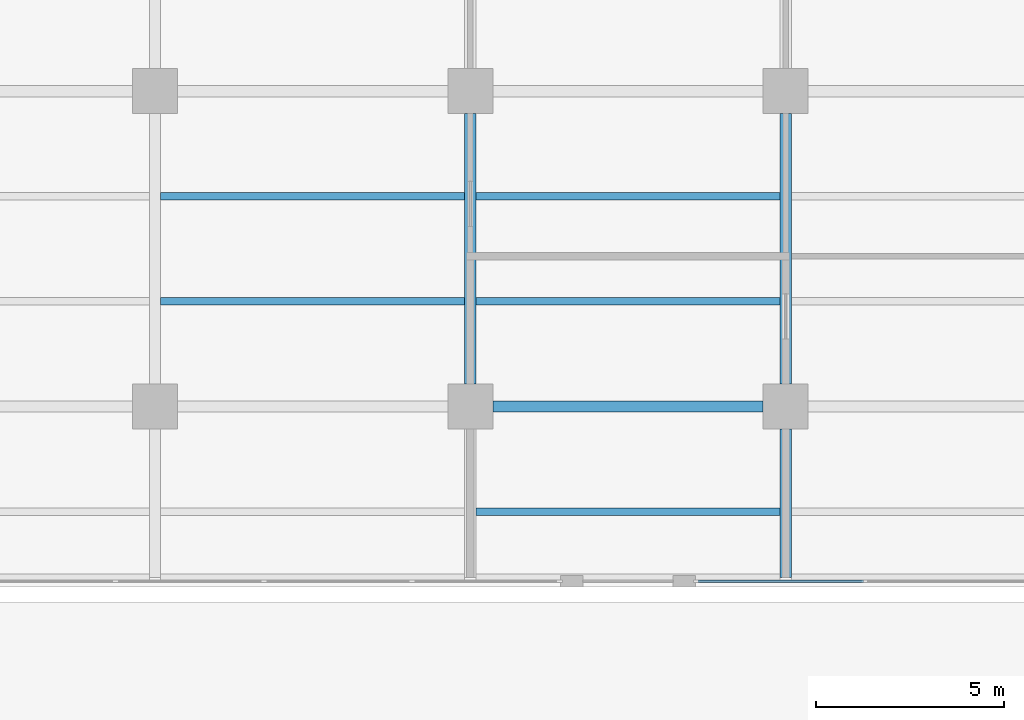
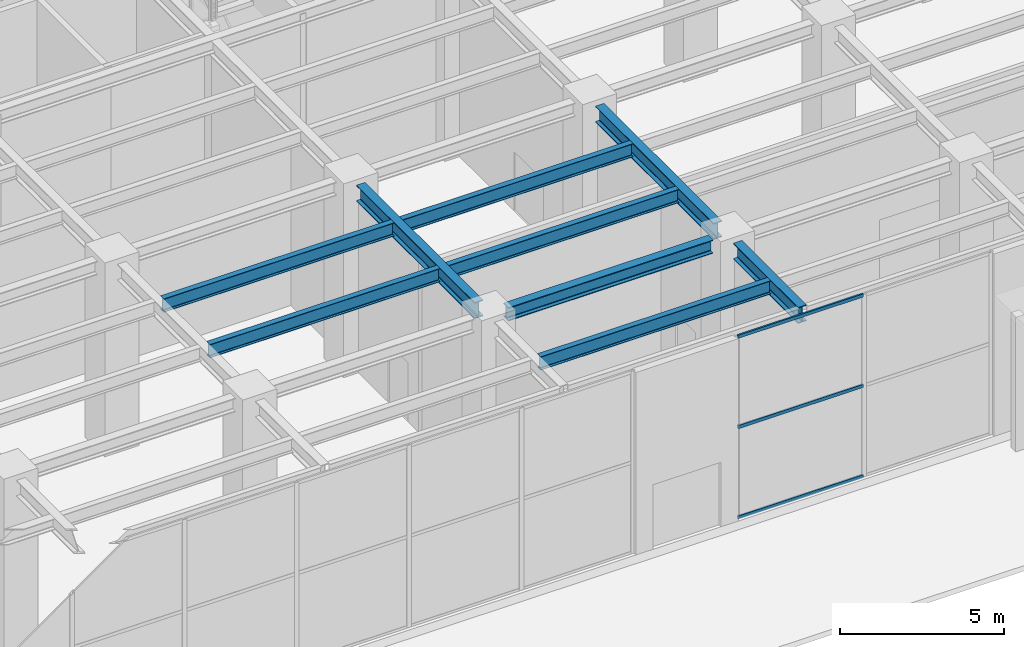
# One storey, part 4 of 43: 9 beams, 3 members, 1 element without a shape of its own.
"""IFC4 building model written with IfcOpenShell, lengths in metres."""

from ifc_helpers import new_model, si_unit, direction, frame, origin, origin_2d, place, context, subcontext, project, spatial, rectangle, i_section, extrude, material, material_profile, profile_set, type_object, element, aggregate, save


model = new_model("IFC4")

# Units and contexts
model_context = context("Model", 3, precision=1e-05, world=origin(), true_north=direction((0.0, 1.0)))
body_context = subcontext(model_context, "Body", "Model", "MODEL_VIEW")
ifc_project = project(units=[si_unit("LENGTHUNIT", "METRE"), si_unit("AREAUNIT", "SQUARE_METRE"), si_unit("VOLUMEUNIT", "CUBIC_METRE"), si_unit("PLANEANGLEUNIT", "RADIAN"), si_unit("MASSUNIT", "GRAM", prefix="KILO")], contexts=[model_context])

# Site, building, storey
site_placement = place(None, origin())
site = spatial("IfcSite", under=ifc_project, at=site_placement, CompositionType="ELEMENT")
building_placement = place(site_placement, origin())
building = spatial("IfcBuilding", under=site, at=building_placement, Name="Khepri Terraces", CompositionType="ELEMENT")
storey_placement = place(building_placement, origin())
storey = spatial("IfcBuildingStorey", under=building, at=storey_placement, Name="L00", CompositionType="ELEMENT", Elevation=0.0)

# Curtain wall, members
ifc_material_1 = material(Name="Anodised aluminium bronze curtain wall", Category="aluminium")
curtain_wall_type = type_object("IfcCurtainWallType", Name="CW-SYS1-LOBBY", PredefinedType="NOTDEFINED", material=ifc_material_1)
curtain_wall_placement = place(storey_placement, origin())
curtain_wall = element("IfcCurtainWall", 1, at=curtain_wall_placement, inside=storey, type_object=curtain_wall_type, Name="Curtain wall CW1 L00 S", PredefinedType="NOTDEFINED")
ifc_material_2 = material(Name="Anodised aluminium bronze", Category="aluminium")
ifc_material_profile_1 = material_profile(ifc_material_2, rectangle(XDim=0.06005859375, YDim=0.1201171875, at=origin_2d()), Name="Anodised aluminium bronze", Category="aluminium")
ifc_profile_set_1 = profile_set([ifc_material_profile_1], Name="Anodised aluminium bronze")
member_type = type_object("IfcMemberType", Name="CW-TRANSOM-60x120", PredefinedType="USERDEFINED", material=ifc_profile_set_1)
member_1_placement = place(storey_placement, frame((-19.139892578125, -46.64990234375, 0.030029296875), z_axis=(1.0, 0.0, 0.0), x_axis=(0.0, 1.0, 0.0)))
member_1 = element("IfcMember", 2, at=member_1_placement, type_object=member_type, Name="CW1 transom 1.1", ObjectType="TRANSOM", PredefinedType="USERDEFINED", context=body_context, shape_type="SweptSolid", body=[
    extrude(rectangle(XDim=0.06005859375, YDim=0.1201171875, at=origin_2d()), origin(), (0.0, 0.0, 1.0), 4.409912109375),
])
member_2_placement = place(storey_placement, frame((-19.139892578125, -46.64990234375, 3.389892578125), z_axis=(1.0, 0.0, 0.0), x_axis=(0.0, 1.0, 0.0)))
member_2 = element("IfcMember", 3, at=member_2_placement, type_object=member_type, Name="CW1 transom 1.2", ObjectType="TRANSOM", PredefinedType="USERDEFINED", context=body_context, shape_type="SweptSolid", body=[
    extrude(rectangle(XDim=0.06005859375, YDim=0.1201171875, at=origin_2d()), origin(), (0.0, 0.0, 1.0), 4.409912109375),
])
member_3_placement = place(storey_placement, frame((-19.139892578125, -46.64990234375, 6.75), z_axis=(1.0, 0.0, 0.0), x_axis=(0.0, 1.0, 0.0)))
member_3 = element("IfcMember", 4, at=member_3_placement, type_object=member_type, Name="CW1 transom 1.3", ObjectType="TRANSOM", PredefinedType="USERDEFINED", context=body_context, shape_type="SweptSolid", body=[
    extrude(rectangle(XDim=0.06005859375, YDim=0.1201171875, at=origin_2d()), origin(), (0.0, 0.0, 1.0), 4.409912109375),
])
aggregate(curtain_wall, [member_1, member_2, member_3])

# Beams
ifc_material_3 = material(Name="Steel S355", Category="steel")
ifc_material_profile_2 = material_profile(ifc_material_3, i_section(OverallWidth=0.300048828125, OverallDepth=0.60009765625, WebThickness=0.015380859375, FlangeThickness=0.030029296875, FilletRadius=0.027099609375, at=origin_2d()), Name="Steel S355", Category="steel")
ifc_profile_set_2 = profile_set([ifc_material_profile_2], Name="Steel S355")
beam_type_1 = type_object("IfcBeamType", Name="Podium cantilever girder L01 HEB 600", PredefinedType="BEAM", material=ifc_profile_set_2)
beam_1_placement = place(storey_placement, frame((-16.800048828125, -46.550048828125, 6.699951171875), z_axis=(0.0, 1.0, 0.0), x_axis=(-1.0, 0.0, 0.0)))
element("IfcBeam", 5, at=beam_1_placement, inside=storey, type_object=beam_type_1, Name="Podium girder L01 035", PredefinedType="BEAM", context=body_context, shape_type="SweptSolid", body=[
    extrude(i_section(OverallWidth=0.300048828125, OverallDepth=0.60009765625, WebThickness=0.015380859375, FlangeThickness=0.030029296875, FilletRadius=0.027099609375, at=origin_2d()), origin(), (0.0, 0.0, 1.0), 3.949951171875),
])
ifc_material_profile_3 = material_profile(ifc_material_3, i_section(OverallWidth=0.300048828125, OverallDepth=0.60009765625, WebThickness=0.015380859375, FlangeThickness=0.030029296875, FilletRadius=0.027099609375, at=origin_2d()), Name="Steel S355", Category="steel")
ifc_profile_set_3 = profile_set([ifc_material_profile_3], Name="Steel S355")
beam_type_2 = type_object("IfcBeamType", Name="Podium girder L01 HEB 600", PredefinedType="BEAM", material=ifc_profile_set_3)
for number, where, z_axis, x_axis, name in (
    (6, (-25.199951171875, -41.39990234375, 6.699951171875), (0.0, 1.0, 0.0), (-1.0, 0.0, 0.0), "Podium girder L01 026"),
    (7, (-16.800048828125, -41.39990234375, 6.699951171875), (0.0, 1.0, 0.0), (-1.0, 0.0, 0.0), "Podium girder L01 036"),
):
    element("IfcBeam", number, at=place(storey_placement, frame(where, z_axis=z_axis, x_axis=x_axis)), inside=storey, type_object=beam_type_2, Name=name, PredefinedType="BEAM", context=body_context, shape_type="SweptSolid", body=[
        extrude(i_section(OverallWidth=0.300048828125, OverallDepth=0.60009765625, WebThickness=0.015380859375, FlangeThickness=0.030029296875, FilletRadius=0.027099609375, at=origin_2d()), origin(), (0.0, 0.0, 1.0), 7.199951171875),
    ])
ifc_material_profile_4 = material_profile(ifc_material_3, i_section(OverallWidth=0.300048828125, OverallDepth=0.5, WebThickness=0.014404296875, FlangeThickness=0.028076171875, FilletRadius=0.027099609375, at=origin_2d()), Name="Steel S355", Category="steel")
ifc_profile_set_4 = profile_set([ifc_material_profile_4], Name="Steel S355")
beam_type_3 = type_object("IfcBeamType", Name="Podium girder L01 grid line HEB 500", PredefinedType="BEAM", material=ifc_profile_set_4)
beam_2_placement = place(storey_placement, frame((-24.60009765625, -42.0, 6.75), z_axis=(1.0, 0.0, 0.0), x_axis=(0.0, 1.0, 0.0)))
element("IfcBeam", 8, at=beam_2_placement, inside=storey, type_object=beam_type_3, Name="Podium grid-line girder L01 016", PredefinedType="BEAM", context=body_context, shape_type="SweptSolid", body=[
    extrude(i_section(OverallWidth=0.300048828125, OverallDepth=0.5, WebThickness=0.014404296875, FlangeThickness=0.028076171875, FilletRadius=0.027099609375, at=origin_2d()), origin(), (0.0, 0.0, 1.0), 7.2001953125),
])
ifc_material_profile_5 = material_profile(ifc_material_3, i_section(OverallWidth=0.199951171875, OverallDepth=0.5, WebThickness=0.01025390625, FlangeThickness=0.01611328125, FilletRadius=0.02099609375, at=origin_2d()), Name="Steel S355", Category="steel")
ifc_profile_set_5 = profile_set([ifc_material_profile_5], Name="Steel S355")
beam_type_4 = type_object("IfcBeamType", Name="Podium joist L01 IPE 500", PredefinedType="JOIST", material=ifc_profile_set_5)
beam_3_placement = place(storey_placement, frame((-25.050048828125, -44.800048828125, 6.75), z_axis=(1.0, 0.0, 0.0), x_axis=(0.0, 1.0, 0.0)))
element("IfcBeam", 9, at=beam_3_placement, inside=storey, type_object=beam_type_4, Name="Podium joist L01 004", PredefinedType="JOIST", context=body_context, shape_type="SweptSolid", body=[
    extrude(i_section(OverallWidth=0.199951171875, OverallDepth=0.5, WebThickness=0.01025390625, FlangeThickness=0.01611328125, FilletRadius=0.02099609375, at=origin_2d()), origin(), (0.0, 0.0, 1.0), 8.10009765625),
])
beam_4_placement = place(storey_placement, frame((-33.449951171875, -39.199951171875, 6.75), z_axis=(1.0, 0.0, 0.0), x_axis=(0.0, 1.0, 0.0)))
element("IfcBeam", 10, at=beam_4_placement, inside=storey, type_object=beam_type_4, Name="Podium joist L01 027", PredefinedType="JOIST", context=body_context, shape_type="SweptSolid", body=[
    extrude(i_section(OverallWidth=0.199951171875, OverallDepth=0.5, WebThickness=0.01025390625, FlangeThickness=0.01611328125, FilletRadius=0.02099609375, at=origin_2d()), origin(), (0.0, 0.0, 1.0), 8.099853515625),
])
beam_5_placement = place(storey_placement, frame((-25.050048828125, -39.199951171875, 6.75), z_axis=(1.0, 0.0, 0.0), x_axis=(0.0, 1.0, 0.0)))
element("IfcBeam", 11, at=beam_5_placement, inside=storey, type_object=beam_type_4, Name="Podium joist L01 028", PredefinedType="JOIST", context=body_context, shape_type="SweptSolid", body=[
    extrude(i_section(OverallWidth=0.199951171875, OverallDepth=0.5, WebThickness=0.01025390625, FlangeThickness=0.01611328125, FilletRadius=0.02099609375, at=origin_2d()), origin(), (0.0, 0.0, 1.0), 8.10009765625),
])
beam_6_placement = place(storey_placement, frame((-33.449951171875, -36.39990234375, 6.75), z_axis=(1.0, 0.0, 0.0), x_axis=(0.0, 1.0, 0.0)))
element("IfcBeam", 12, at=beam_6_placement, inside=storey, type_object=beam_type_4, Name="Podium joist L01 039", PredefinedType="JOIST", context=body_context, shape_type="SweptSolid", body=[
    extrude(i_section(OverallWidth=0.199951171875, OverallDepth=0.5, WebThickness=0.01025390625, FlangeThickness=0.01611328125, FilletRadius=0.02099609375, at=origin_2d()), origin(), (0.0, 0.0, 1.0), 8.099853515625),
])
beam_7_placement = place(storey_placement, frame((-25.050048828125, -36.39990234375, 6.75), z_axis=(1.0, 0.0, 0.0), x_axis=(0.0, 1.0, 0.0)))
element("IfcBeam", 13, at=beam_7_placement, inside=storey, type_object=beam_type_4, Name="Podium joist L01 040", PredefinedType="JOIST", context=body_context, shape_type="SweptSolid", body=[
    extrude(i_section(OverallWidth=0.199951171875, OverallDepth=0.5, WebThickness=0.01025390625, FlangeThickness=0.01611328125, FilletRadius=0.02099609375, at=origin_2d()), origin(), (0.0, 0.0, 1.0), 8.10009765625),
])

save(model, "model.ifc")
